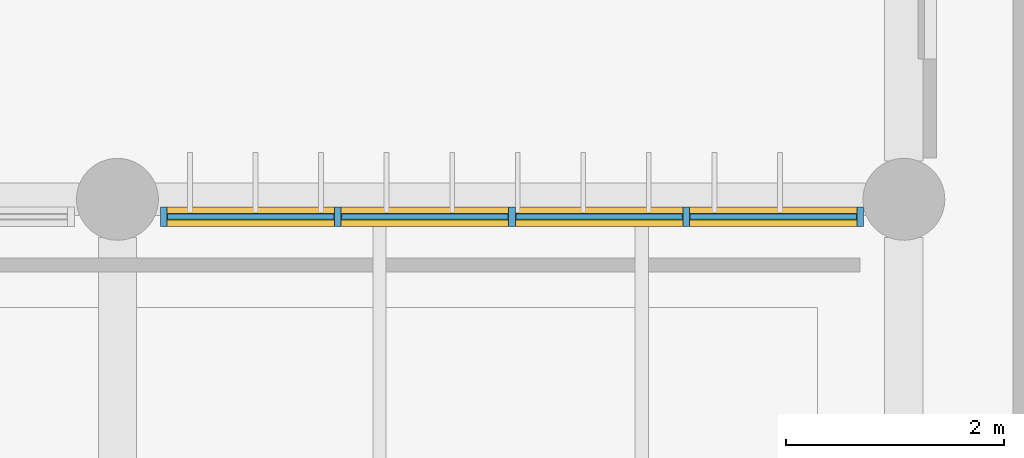
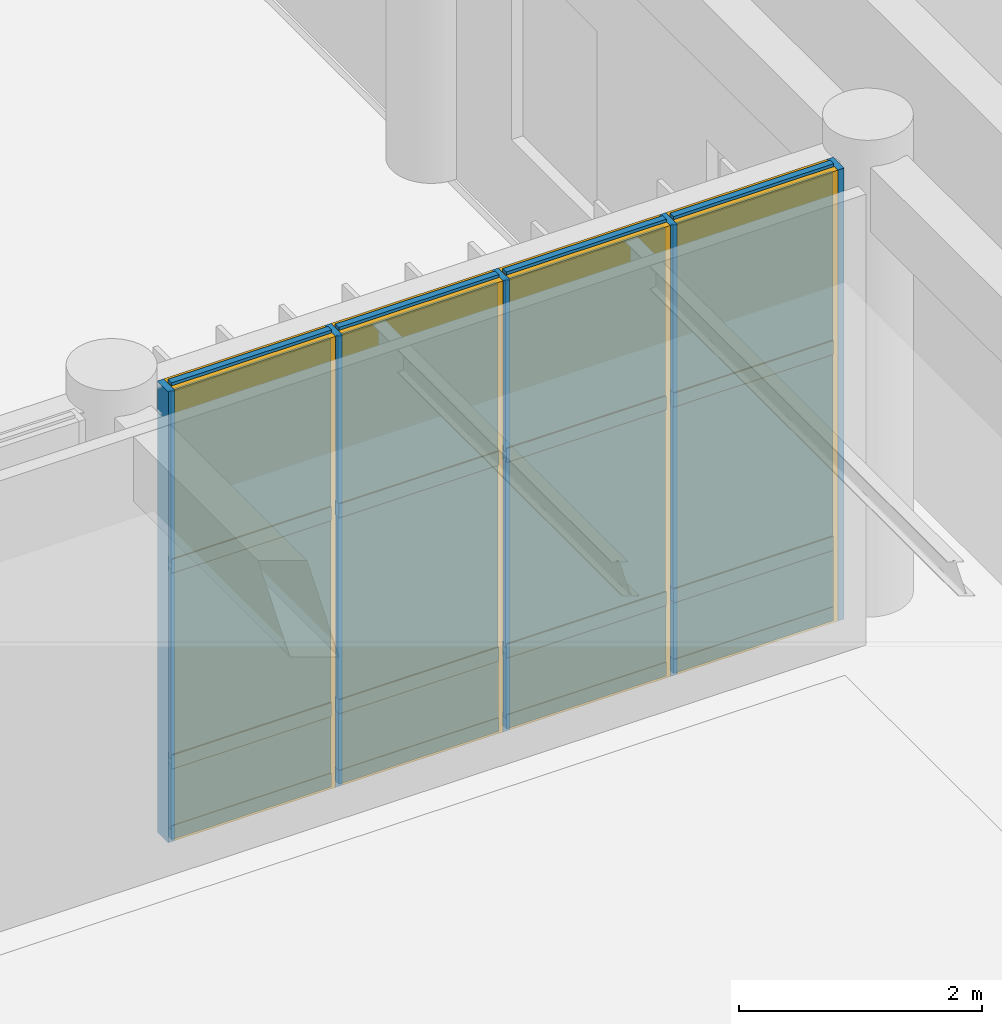
# One storey, part 60 of 122: 21 members, 12 plates, 1 curtain wall.
"""IFC4 building model written with IfcOpenShell, lengths in metres."""

from ifc_helpers import new_model, si_unit, direction, frame, frame_2d, origin, origin_2d, place, context, subcontext, project, spatial, rectangle, extrude, material, layer, layer_set, material_profile, profile_set, type_object, element, aggregate, save


model = new_model("IFC4")

# Units and contexts
model_context = context("Model", 3, precision=1e-05, world=origin(), true_north=direction((0.0, 1.0)))
body_context = subcontext(model_context, "Body", "Model", "MODEL_VIEW")
ifc_project = project(units=[si_unit("LENGTHUNIT", "METRE"), si_unit("AREAUNIT", "SQUARE_METRE"), si_unit("VOLUMEUNIT", "CUBIC_METRE"), si_unit("PLANEANGLEUNIT", "RADIAN"), si_unit("MASSUNIT", "GRAM", prefix="KILO")], contexts=[model_context])

# Member
ifc_material_1 = material(Name="Anodised Bronze Aluminium 6063-T6", Category="aluminium")
ifc_material_profile_1 = material_profile(ifc_material_1, rectangle(XDim=0.06005859375, YDim=0.179931640625, at=origin_2d()), Name="ALU MULLION 60x180")
ifc_profile_set_1 = profile_set([ifc_material_profile_1], Name="Anodised Bronze Aluminium 6063-T6")
member_type_1 = type_object("IfcMemberType", Name="Curtain-Wall Primary Mullion 60x180", PredefinedType="MULLION", material=ifc_profile_set_1)
site_placement = place(None, origin())
building_placement = place(site_placement, origin())
storey_placement = place(building_placement, origin())
member_1_placement = place(storey_placement, frame((50.824951171875, 30.0400390625, 0.0), z_axis=(0.0, 0.0, 1.0), x_axis=(1.0, 0.0, 0.0)))
member_1 = element("IfcMember", 1, at=member_1_placement, type_object=member_type_1, Name="Mullion CWM-01 CW-V5-NRET-W-L00-B3-M01", PredefinedType="MULLION", context=body_context, shape_type="SweptSolid", body=[
    extrude(rectangle(XDim=0.06005859375, YDim=0.179931640625, at=origin_2d()), origin(), (0.0, 0.0, 1.0), 4.5400390625),
])

member_2_placement = place(storey_placement, frame((52.418701171875, 30.0400390625, 0.0), z_axis=(0.0, 0.0, 1.0), x_axis=(1.0, 0.0, 0.0)))
member_2 = element("IfcMember", 2, at=member_2_placement, type_object=member_type_1, Name="Mullion CWM-01 CW-V5-NRET-W-L00-B3-M02", PredefinedType="MULLION", context=body_context, shape_type="SweptSolid", body=[
    extrude(rectangle(XDim=0.06005859375, YDim=0.179931640625, at=origin_2d()), origin(), (0.0, 0.0, 1.0), 4.5400390625),
])

member_3_placement = place(storey_placement, frame((54.012451171875, 30.0400390625, 0.0), z_axis=(0.0, 0.0, 1.0), x_axis=(1.0, 0.0, 0.0)))
member_3 = element("IfcMember", 3, at=member_3_placement, type_object=member_type_1, Name="Mullion CWM-01 CW-V5-NRET-W-L00-B3-M03", PredefinedType="MULLION", context=body_context, shape_type="SweptSolid", body=[
    extrude(rectangle(XDim=0.06005859375, YDim=0.179931640625, at=origin_2d()), origin(), (0.0, 0.0, 1.0), 4.5400390625),
])

member_4_placement = place(storey_placement, frame((55.606201171875, 30.0400390625, 0.0), z_axis=(0.0, 0.0, 1.0), x_axis=(1.0, 0.0, 0.0)))
member_4 = element("IfcMember", 4, at=member_4_placement, type_object=member_type_1, Name="Mullion CWM-01 CW-V5-NRET-W-L00-B3-M04", PredefinedType="MULLION", context=body_context, shape_type="SweptSolid", body=[
    extrude(rectangle(XDim=0.06005859375, YDim=0.179931640625, at=origin_2d()), origin(), (0.0, 0.0, 1.0), 4.5400390625),
])

member_5_placement = place(storey_placement, frame((57.199951171875, 30.0400390625, 0.0), z_axis=(0.0, 0.0, 1.0), x_axis=(1.0, 0.0, 0.0)))
member_5 = element("IfcMember", 5, at=member_5_placement, type_object=member_type_1, Name="Mullion CWM-01 CW-V5-NRET-W-L00-B3-M05", PredefinedType="MULLION", context=body_context, shape_type="SweptSolid", body=[
    extrude(rectangle(XDim=0.06005859375, YDim=0.179931640625, at=origin_2d()), origin(), (0.0, 0.0, 1.0), 4.5400390625),
])

ifc_material_profile_2 = material_profile(ifc_material_1, rectangle(XDim=0.06005859375, YDim=0.139892578125, at=origin_2d()), Name="ALU TRANSOM 60x140")
ifc_profile_set_2 = profile_set([ifc_material_profile_2], Name="Anodised Bronze Aluminium 6063-T6")
member_type_2 = type_object("IfcMemberType", Name="Curtain-Wall Transom 60x140", PredefinedType="USERDEFINED", material=ifc_profile_set_2)
member_6_placement = place(storey_placement, frame((50.860107421875, 30.0400390625, 0.0400390625), z_axis=(1.0, 0.0, 0.0), x_axis=(0.0, 1.0, 0.0)))
member_6 = element("IfcMember", 6, at=member_6_placement, type_object=member_type_2, Name="Transom CWT-01 CW-V5-NRET-W-L00-B3-T01.1", ObjectType="TRANSOM", PredefinedType="USERDEFINED", context=body_context, shape_type="SweptSolid", body=[
    extrude(rectangle(XDim=0.06005859375, YDim=0.139892578125, at=origin_2d()), origin(), (0.0, 0.0, 1.0), 1.523681640625),
])

member_7_placement = place(storey_placement, frame((50.860107421875, 30.0400390625, 0.75), z_axis=(1.0, 0.0, 0.0), x_axis=(0.0, 1.0, 0.0)))
member_7 = element("IfcMember", 7, at=member_7_placement, type_object=member_type_2, Name="Transom CWT-01 CW-V5-NRET-W-L00-B3-T01.2", ObjectType="TRANSOM", PredefinedType="USERDEFINED", context=body_context, shape_type="SweptSolid", body=[
    extrude(rectangle(XDim=0.06005859375, YDim=0.139892578125, at=origin_2d()), origin(), (0.0, 0.0, 1.0), 1.523681640625),
])

member_8_placement = place(storey_placement, frame((50.860107421875, 30.0400390625, 2.720703125), z_axis=(1.0, 0.0, 0.0), x_axis=(0.0, 1.0, 0.0)))
member_8 = element("IfcMember", 8, at=member_8_placement, type_object=member_type_2, Name="Transom CWT-01 CW-V5-NRET-W-L00-B3-T01.3", ObjectType="TRANSOM", PredefinedType="USERDEFINED", context=body_context, shape_type="SweptSolid", body=[
    extrude(rectangle(XDim=0.06005859375, YDim=0.139892578125, at=origin_2d()), origin(), (0.0, 0.0, 1.0), 1.523681640625),
])

member_9_placement = place(storey_placement, frame((50.860107421875, 30.0400390625, 4.5), z_axis=(1.0, 0.0, 0.0), x_axis=(0.0, 1.0, 0.0)))
member_9 = element("IfcMember", 9, at=member_9_placement, type_object=member_type_2, Name="Transom CWT-01 CW-V5-NRET-W-L00-B3-T01.4", ObjectType="TRANSOM", PredefinedType="USERDEFINED", context=body_context, shape_type="SweptSolid", body=[
    extrude(rectangle(XDim=0.06005859375, YDim=0.139892578125, at=origin_2d()), origin(), (0.0, 0.0, 1.0), 1.523681640625),
])

member_10_placement = place(storey_placement, frame((52.45361328125, 30.0400390625, 0.0400390625), z_axis=(1.0, 0.0, 0.0), x_axis=(0.0, 1.0, 0.0)))
member_10 = element("IfcMember", 10, at=member_10_placement, type_object=member_type_2, Name="Transom CWT-01 CW-V5-NRET-W-L00-B3-T02.1", ObjectType="TRANSOM", PredefinedType="USERDEFINED", context=body_context, shape_type="SweptSolid", body=[
    extrude(rectangle(XDim=0.06005859375, YDim=0.139892578125, at=origin_2d()), origin(), (0.0, 0.0, 1.0), 1.52392578125),
])

member_11_placement = place(storey_placement, frame((52.45361328125, 30.0400390625, 0.75), z_axis=(1.0, 0.0, 0.0), x_axis=(0.0, 1.0, 0.0)))
member_11 = element("IfcMember", 11, at=member_11_placement, type_object=member_type_2, Name="Transom CWT-01 CW-V5-NRET-W-L00-B3-T02.2", ObjectType="TRANSOM", PredefinedType="USERDEFINED", context=body_context, shape_type="SweptSolid", body=[
    extrude(rectangle(XDim=0.06005859375, YDim=0.139892578125, at=origin_2d()), origin(), (0.0, 0.0, 1.0), 1.52392578125),
])

member_12_placement = place(storey_placement, frame((52.45361328125, 30.0400390625, 2.720703125), z_axis=(1.0, 0.0, 0.0), x_axis=(0.0, 1.0, 0.0)))
member_12 = element("IfcMember", 12, at=member_12_placement, type_object=member_type_2, Name="Transom CWT-01 CW-V5-NRET-W-L00-B3-T02.3", ObjectType="TRANSOM", PredefinedType="USERDEFINED", context=body_context, shape_type="SweptSolid", body=[
    extrude(rectangle(XDim=0.06005859375, YDim=0.139892578125, at=origin_2d()), origin(), (0.0, 0.0, 1.0), 1.52392578125),
])

member_13_placement = place(storey_placement, frame((52.45361328125, 30.0400390625, 4.5), z_axis=(1.0, 0.0, 0.0), x_axis=(0.0, 1.0, 0.0)))
member_13 = element("IfcMember", 13, at=member_13_placement, type_object=member_type_2, Name="Transom CWT-01 CW-V5-NRET-W-L00-B3-T02.4", ObjectType="TRANSOM", PredefinedType="USERDEFINED", context=body_context, shape_type="SweptSolid", body=[
    extrude(rectangle(XDim=0.06005859375, YDim=0.139892578125, at=origin_2d()), origin(), (0.0, 0.0, 1.0), 1.52392578125),
])

member_14_placement = place(storey_placement, frame((54.047607421875, 30.0400390625, 0.0400390625), z_axis=(1.0, 0.0, 0.0), x_axis=(0.0, 1.0, 0.0)))
member_14 = element("IfcMember", 14, at=member_14_placement, type_object=member_type_2, Name="Transom CWT-01 CW-V5-NRET-W-L00-B3-T03.1", ObjectType="TRANSOM", PredefinedType="USERDEFINED", context=body_context, shape_type="SweptSolid", body=[
    extrude(rectangle(XDim=0.06005859375, YDim=0.139892578125, at=origin_2d()), origin(), (0.0, 0.0, 1.0), 1.523681640625),
])

member_15_placement = place(storey_placement, frame((54.047607421875, 30.0400390625, 0.75), z_axis=(1.0, 0.0, 0.0), x_axis=(0.0, 1.0, 0.0)))
member_15 = element("IfcMember", 15, at=member_15_placement, type_object=member_type_2, Name="Transom CWT-01 CW-V5-NRET-W-L00-B3-T03.2", ObjectType="TRANSOM", PredefinedType="USERDEFINED", context=body_context, shape_type="SweptSolid", body=[
    extrude(rectangle(XDim=0.06005859375, YDim=0.139892578125, at=origin_2d()), origin(), (0.0, 0.0, 1.0), 1.523681640625),
])

member_16_placement = place(storey_placement, frame((54.047607421875, 30.0400390625, 2.720703125), z_axis=(1.0, 0.0, 0.0), x_axis=(0.0, 1.0, 0.0)))
member_16 = element("IfcMember", 16, at=member_16_placement, type_object=member_type_2, Name="Transom CWT-01 CW-V5-NRET-W-L00-B3-T03.3", ObjectType="TRANSOM", PredefinedType="USERDEFINED", context=body_context, shape_type="SweptSolid", body=[
    extrude(rectangle(XDim=0.06005859375, YDim=0.139892578125, at=origin_2d()), origin(), (0.0, 0.0, 1.0), 1.523681640625),
])

member_17_placement = place(storey_placement, frame((54.047607421875, 30.0400390625, 4.5), z_axis=(1.0, 0.0, 0.0), x_axis=(0.0, 1.0, 0.0)))
member_17 = element("IfcMember", 17, at=member_17_placement, type_object=member_type_2, Name="Transom CWT-01 CW-V5-NRET-W-L00-B3-T03.4", ObjectType="TRANSOM", PredefinedType="USERDEFINED", context=body_context, shape_type="SweptSolid", body=[
    extrude(rectangle(XDim=0.06005859375, YDim=0.139892578125, at=origin_2d()), origin(), (0.0, 0.0, 1.0), 1.523681640625),
])

member_18_placement = place(storey_placement, frame((55.64111328125, 30.0400390625, 0.0400390625), z_axis=(1.0, 0.0, 0.0), x_axis=(0.0, 1.0, 0.0)))
member_18 = element("IfcMember", 18, at=member_18_placement, type_object=member_type_2, Name="Transom CWT-01 CW-V5-NRET-W-L00-B3-T04.1", ObjectType="TRANSOM", PredefinedType="USERDEFINED", context=body_context, shape_type="SweptSolid", body=[
    extrude(rectangle(XDim=0.06005859375, YDim=0.139892578125, at=origin_2d()), origin(), (0.0, 0.0, 1.0), 1.52392578125),
])

member_19_placement = place(storey_placement, frame((55.64111328125, 30.0400390625, 0.75), z_axis=(1.0, 0.0, 0.0), x_axis=(0.0, 1.0, 0.0)))
member_19 = element("IfcMember", 19, at=member_19_placement, type_object=member_type_2, Name="Transom CWT-01 CW-V5-NRET-W-L00-B3-T04.2", ObjectType="TRANSOM", PredefinedType="USERDEFINED", context=body_context, shape_type="SweptSolid", body=[
    extrude(rectangle(XDim=0.06005859375, YDim=0.139892578125, at=origin_2d()), origin(), (0.0, 0.0, 1.0), 1.52392578125),
])

member_20_placement = place(storey_placement, frame((55.64111328125, 30.0400390625, 2.720703125), z_axis=(1.0, 0.0, 0.0), x_axis=(0.0, 1.0, 0.0)))
member_20 = element("IfcMember", 20, at=member_20_placement, type_object=member_type_2, Name="Transom CWT-01 CW-V5-NRET-W-L00-B3-T04.3", ObjectType="TRANSOM", PredefinedType="USERDEFINED", context=body_context, shape_type="SweptSolid", body=[
    extrude(rectangle(XDim=0.06005859375, YDim=0.139892578125, at=origin_2d()), origin(), (0.0, 0.0, 1.0), 1.52392578125),
])

member_21_placement = place(storey_placement, frame((55.64111328125, 30.0400390625, 4.5), z_axis=(1.0, 0.0, 0.0), x_axis=(0.0, 1.0, 0.0)))
member_21 = element("IfcMember", 21, at=member_21_placement, type_object=member_type_2, Name="Transom CWT-01 CW-V5-NRET-W-L00-B3-T04.4", ObjectType="TRANSOM", PredefinedType="USERDEFINED", context=body_context, shape_type="SweptSolid", body=[
    extrude(rectangle(XDim=0.06005859375, YDim=0.139892578125, at=origin_2d()), origin(), (0.0, 0.0, 1.0), 1.52392578125),
])

# Plate
ifc_material_2 = material(Name="Insulated Bronze Aluminium Spandrel Panel", Category="aluminium")
ifc_layer_1 = layer(ifc_material_2, 0.050048828125, Name="Insulated Bronze Aluminium Spandrel Panel")
ifc_layer_set_1 = layer_set([ifc_layer_1], Name="Insulated Bronze Aluminium Spandrel Panel")
plate_type_1 = type_object("IfcPlateType", Name="Insulated Anodised Aluminium Spandrel Cassette 50", PredefinedType="CURTAIN_PANEL", material=ifc_layer_set_1)
plate_1_placement = place(storey_placement, frame((51.621826171875, 30.0400390625, 0.070068359375), z_axis=(0.0, 0.0, 1.0), x_axis=(1.0, 0.0, 0.0)))
plate_1 = element("IfcPlate", 22, at=plate_1_placement, type_object=plate_type_1, Name="Curtain Panel CWP-03 CW-V5-NRET-W-L00-B3-P01.1", PredefinedType="CURTAIN_PANEL", context=body_context, shape_type="SweptSolid", body=[
    extrude(rectangle(XDim=1.523681640625, YDim=0.050048828125, at=origin_2d()), origin(), (0.0, 0.0, 1.0), 0.64990234375),
])

plate_2_placement = place(storey_placement, frame((53.215576171875, 30.0400390625, 0.070068359375), z_axis=(0.0, 0.0, 1.0), x_axis=(1.0, 0.0, 0.0)))
plate_2 = element("IfcPlate", 23, at=plate_2_placement, type_object=plate_type_1, Name="Curtain Panel CWP-03 CW-V5-NRET-W-L00-B3-P02.1", PredefinedType="CURTAIN_PANEL", context=body_context, shape_type="SweptSolid", body=[
    extrude(rectangle(XDim=1.523681640625, YDim=0.050048828125, at=origin_2d()), origin(), (0.0, 0.0, 1.0), 0.64990234375),
])

plate_3_placement = place(storey_placement, frame((54.809326171875, 30.0400390625, 0.070068359375), z_axis=(0.0, 0.0, 1.0), x_axis=(1.0, 0.0, 0.0)))
plate_3 = element("IfcPlate", 24, at=plate_3_placement, type_object=plate_type_1, Name="Curtain Panel CWP-03 CW-V5-NRET-W-L00-B3-P03.1", PredefinedType="CURTAIN_PANEL", context=body_context, shape_type="SweptSolid", body=[
    extrude(rectangle(XDim=1.523681640625, YDim=0.050048828125, at=origin_2d()), origin(), (0.0, 0.0, 1.0), 0.64990234375),
])

plate_4_placement = place(storey_placement, frame((56.403076171875, 30.0400390625, 0.070068359375), z_axis=(0.0, 0.0, 1.0), x_axis=(1.0, 0.0, 0.0)))
plate_4 = element("IfcPlate", 25, at=plate_4_placement, type_object=plate_type_1, Name="Curtain Panel CWP-03 CW-V5-NRET-W-L00-B3-P04.1", PredefinedType="CURTAIN_PANEL", context=body_context, shape_type="SweptSolid", body=[
    extrude(rectangle(XDim=1.523681640625, YDim=0.050048828125, at=origin_2d()), origin(), (0.0, 0.0, 1.0), 0.64990234375),
])

ifc_material_3 = material(Name="Solar-Control Tempered Double Glazing", Category="glass")
ifc_layer_2 = layer(ifc_material_3, 0.0380859375, Name="Solar-Control Tempered Double Glazing")
ifc_layer_set_2 = layer_set([ifc_layer_2], Name="Solar-Control Tempered Double Glazing")
plate_type_2 = type_object("IfcPlateType", Name="Solar-Control Vision Glazing Unit 38", PredefinedType="CURTAIN_PANEL", material=ifc_layer_set_2)
plate_5_placement = place(storey_placement, frame((51.621826171875, 30.0400390625, 0.77978515625), z_axis=(0.0, 0.0, 1.0), x_axis=(1.0, 0.0, 0.0)))
plate_5 = element("IfcPlate", 26, at=plate_5_placement, type_object=plate_type_2, Name="Curtain Panel CWP-02 CW-V5-NRET-W-L00-B3-P01.2", PredefinedType="CURTAIN_PANEL", context=body_context, shape_type="SweptSolid", body=[
    extrude(rectangle(XDim=1.523681640625, YDim=0.0380859375, at=origin_2d()), origin(), (0.0, 0.0, 1.0), 1.910888671875),
])

plate_6_placement = place(storey_placement, frame((51.621826171875, 30.0400390625, 2.750732421875), z_axis=(0.0, 0.0, 1.0), x_axis=(1.0, 0.0, 0.0)))
plate_6 = element("IfcPlate", 27, at=plate_6_placement, type_object=plate_type_2, Name="Curtain Panel CWP-02 CW-V5-NRET-W-L00-B3-P01.3", PredefinedType="CURTAIN_PANEL", context=body_context, shape_type="SweptSolid", body=[
    extrude(rectangle(XDim=1.523681640625, YDim=0.0380859375, at=origin_2d()), origin(), (0.0, 0.0, 1.0), 1.71923828125),
])

plate_7_placement = place(storey_placement, frame((53.215576171875, 30.0400390625, 0.77978515625), z_axis=(0.0, 0.0, 1.0), x_axis=(1.0, 0.0, 0.0)))
plate_7 = element("IfcPlate", 28, at=plate_7_placement, type_object=plate_type_2, Name="Curtain Panel CWP-02 CW-V5-NRET-W-L00-B3-P02.2", PredefinedType="CURTAIN_PANEL", context=body_context, shape_type="SweptSolid", body=[
    extrude(rectangle(XDim=1.523681640625, YDim=0.0380859375, at=origin_2d()), origin(), (0.0, 0.0, 1.0), 1.910888671875),
])

plate_8_placement = place(storey_placement, frame((53.215576171875, 30.0400390625, 2.750732421875), z_axis=(0.0, 0.0, 1.0), x_axis=(1.0, 0.0, 0.0)))
plate_8 = element("IfcPlate", 29, at=plate_8_placement, type_object=plate_type_2, Name="Curtain Panel CWP-02 CW-V5-NRET-W-L00-B3-P02.3", PredefinedType="CURTAIN_PANEL", context=body_context, shape_type="SweptSolid", body=[
    extrude(rectangle(XDim=1.523681640625, YDim=0.0380859375, at=origin_2d()), origin(), (0.0, 0.0, 1.0), 1.71923828125),
])

plate_9_placement = place(storey_placement, frame((54.809326171875, 30.0400390625, 0.77978515625), z_axis=(0.0, 0.0, 1.0), x_axis=(1.0, 0.0, 0.0)))
plate_9 = element("IfcPlate", 30, at=plate_9_placement, type_object=plate_type_2, Name="Curtain Panel CWP-02 CW-V5-NRET-W-L00-B3-P03.2", PredefinedType="CURTAIN_PANEL", context=body_context, shape_type="SweptSolid", body=[
    extrude(rectangle(XDim=1.523681640625, YDim=0.0380859375, at=origin_2d()), origin(), (0.0, 0.0, 1.0), 1.910888671875),
])

plate_10_placement = place(storey_placement, frame((54.809326171875, 30.0400390625, 2.750732421875), z_axis=(0.0, 0.0, 1.0), x_axis=(1.0, 0.0, 0.0)))
plate_10 = element("IfcPlate", 31, at=plate_10_placement, type_object=plate_type_2, Name="Curtain Panel CWP-02 CW-V5-NRET-W-L00-B3-P03.3", PredefinedType="CURTAIN_PANEL", context=body_context, shape_type="SweptSolid", body=[
    extrude(rectangle(XDim=1.523681640625, YDim=0.0380859375, at=origin_2d()), origin(), (0.0, 0.0, 1.0), 1.71923828125),
])

plate_11_placement = place(storey_placement, frame((56.403076171875, 30.0400390625, 0.77978515625), z_axis=(0.0, 0.0, 1.0), x_axis=(1.0, 0.0, 0.0)))
plate_11 = element("IfcPlate", 32, at=plate_11_placement, type_object=plate_type_2, Name="Curtain Panel CWP-02 CW-V5-NRET-W-L00-B3-P04.2", PredefinedType="CURTAIN_PANEL", context=body_context, shape_type="SweptSolid", body=[
    extrude(rectangle(XDim=1.523681640625, YDim=0.0380859375, at=origin_2d()), origin(), (0.0, 0.0, 1.0), 1.910888671875),
])

plate_12_placement = place(storey_placement, frame((56.403076171875, 30.0400390625, 2.750732421875), z_axis=(0.0, 0.0, 1.0), x_axis=(1.0, 0.0, 0.0)))
plate_12 = element("IfcPlate", 33, at=plate_12_placement, type_object=plate_type_2, Name="Curtain Panel CWP-02 CW-V5-NRET-W-L00-B3-P04.3", PredefinedType="CURTAIN_PANEL", context=body_context, shape_type="SweptSolid", body=[
    extrude(rectangle(XDim=1.523681640625, YDim=0.0380859375, at=origin_2d()), origin(), (0.0, 0.0, 1.0), 1.71923828125),
])

# Site, building, storey
site = spatial("IfcSite", under=ifc_project, at=site_placement, CompositionType="ELEMENT")
building = spatial("IfcBuilding", under=site, at=building_placement, Name="Tazoul Stagehouse", CompositionType="ELEMENT")
storey = spatial("IfcBuildingStorey", under=building, at=storey_placement, Name="L00", CompositionType="ELEMENT", Elevation=0.0)

# Curtain wall
curtain_wall_type = type_object("IfcCurtainWallType", Name="Foyer Clear Solar-Control Curtain Wall", PredefinedType="NOTDEFINED", material=ifc_material_1)
curtain_wall_placement = place(storey_placement, frame((50.824951171875, 30.0400390625, 0.0), z_axis=(0.0, 0.0, 1.0), x_axis=(1.0, 0.0, 0.0)))
curtain_wall = element("IfcCurtainWall", 34, at=curtain_wall_placement, inside=storey, type_object=curtain_wall_type, Name="L00 Curtain Wall CW-02 (CW-V5-NRET-W-L00-B3)", PredefinedType="NOTDEFINED", context=body_context, shape_type="SweptSolid", body=[
    extrude(rectangle(XDim=6.375, YDim=0.179931640625, at=frame_2d((3.1875, 0.0))), origin(), (0.0, 0.0, 1.0), 4.5400390625),
])

aggregate(curtain_wall, [member_1, member_2, member_3, member_4, member_5, member_6, member_7, member_8, member_9, plate_1, plate_5, plate_6, member_10, member_11, member_12, member_13, plate_2, plate_7, plate_8, member_14, member_15, member_16, member_17, plate_3, plate_9, plate_10, member_18, member_19, member_20, member_21, plate_4, plate_11, plate_12])

save(model, "model.ifc")
